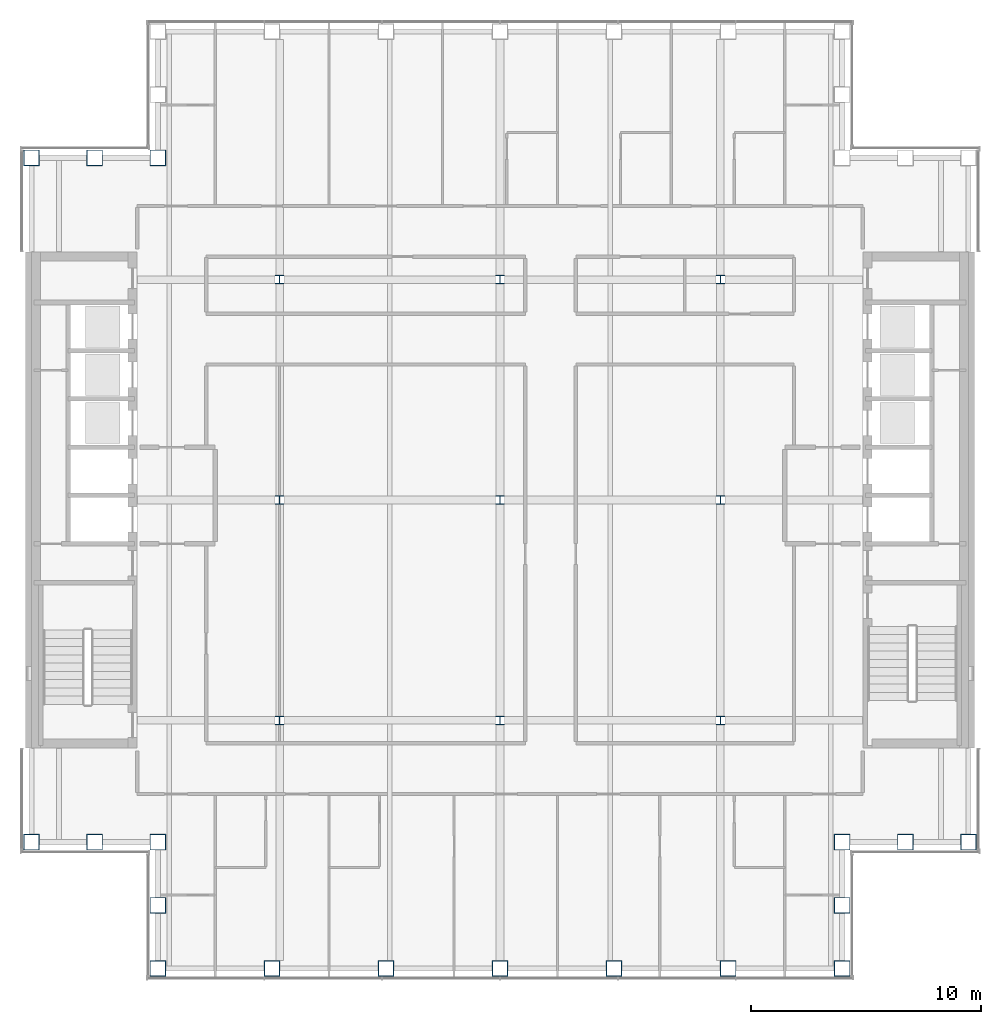
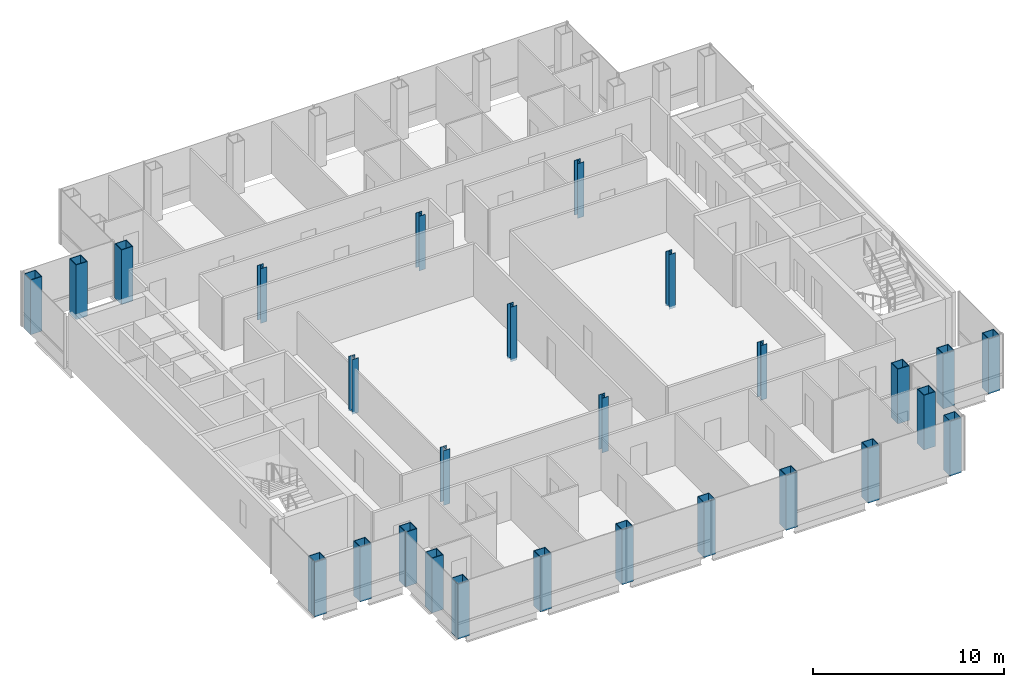
# One storey, part 1 of 15: 27 columns.
"""IFC4 building model written with IfcOpenShell, lengths in metres."""

from ifc_helpers import new_model, si_unit, direction, frame, origin, origin_2d, place, context, subcontext, project, spatial, hollow_rectangle, i_section, extrude, material, material_profile, profile_set, type_object, element, save


model = new_model("IFC4")

# Units and contexts
model_context = context("Model", 3, precision=1e-05, world=origin(), true_north=direction((0.0, 1.0)))
body_context = subcontext(model_context, "Body", "Model", "MODEL_VIEW")
ifc_project = project(units=[si_unit("LENGTHUNIT", "METRE"), si_unit("AREAUNIT", "SQUARE_METRE"), si_unit("VOLUMEUNIT", "CUBIC_METRE"), si_unit("PLANEANGLEUNIT", "RADIAN"), si_unit("MASSUNIT", "GRAM", prefix="KILO")], contexts=[model_context])

# Site, building, storey
site_placement = place(None, origin())
site = spatial("IfcSite", under=ifc_project, at=site_placement, CompositionType="ELEMENT")
building_placement = place(site_placement, origin())
building = spatial("IfcBuilding", under=site, at=building_placement, Name="Cobrizo Arcos Hotel Tower", CompositionType="ELEMENT")
storey_placement = place(building_placement, frame((0.0, 0.0, 215.5)))
storey = spatial("IfcBuildingStorey", under=building, at=storey_placement, Name="L56", CompositionType="ELEMENT", Elevation=215.5)

# Columns
ifc_material_1 = material(Name="Steel ASTM A572 Grade 50", Category="steel")
ifc_material_profile_1 = material_profile(ifc_material_1, hollow_rectangle(XDim=0.699951171875, YDim=0.699951171875, WallThickness=0.0400390625, at=origin_2d()), Name="BOX 700X700X40")
ifc_profile_set_1 = profile_set([ifc_material_profile_1], Name="Steel ASTM A572 Grade 50")
column_type_1 = type_object("IfcColumnType", Name="BOX 700X700X40 column", PredefinedType="COLUMN", material=ifc_profile_set_1)
for number, where, z_axis, x_axis, name in (
    (1, (-14.89990234375, -20.39990234375, -0.14990234375), (0.0, 0.0, 1.0), (1.0, 0.0, 0.0), "Perimeter column C10, L56, no. 01"),
    (2, (-9.93310546875, -20.39990234375, -0.14990234375), (0.0, 0.0, 1.0), (1.0, 0.0, 0.0), "Perimeter column C10, L56, no. 03"),
    (3, (-4.967041015625, -20.39990234375, -0.14990234375), (0.0, 0.0, 1.0), (1.0, 0.0, 0.0), "Perimeter column C10, L56, no. 05"),
    (4, (0.0, -20.39990234375, -0.14990234375), (0.0, 0.0, 1.0), (1.0, 0.0, 0.0), "Perimeter column C10, L56, no. 07"),
    (5, (4.967041015625, -20.39990234375, -0.14990234375), (0.0, 0.0, 1.0), (1.0, 0.0, 0.0), "Perimeter column C10, L56, no. 09"),
    (6, (9.93310546875, -20.39990234375, -0.14990234375), (0.0, 0.0, 1.0), (1.0, 0.0, 0.0), "Perimeter column C10, L56, no. 11"),
    (7, (14.89990234375, -20.39990234375, -0.14990234375), (0.0, 0.0, 1.0), (1.0, 0.0, 0.0), "Perimeter column C10, L56, no. 13"),
    (8, (20.39990234375, -14.89990234375, -0.14990234375), (0.0, 0.0, 1.0), (1.0, 0.0, 0.0), "Perimeter column C10, L56, no. 14"),
    (9, (-20.39990234375, -14.89990234375, -0.14990234375), (0.0, 0.0, 1.0), (1.0, 0.0, 0.0), "Perimeter column C10, L56, no. 15"),
    (10, (-20.39990234375, 14.89990234375, -0.14990234375), (0.0, 0.0, 1.0), (1.0, 0.0, 0.0), "Perimeter column C10, L56, no. 17"),
    (11, (-14.89990234375, -14.89990234375, -0.14990234375), (0.0, 0.0, 1.0), (1.0, 0.0, 0.0), "Perimeter column C10, L56, no. 18"),
    (12, (-14.89990234375, -17.64990234375, -0.14990234375), (0.0, 0.0, 1.0), (1.0, 0.0, 0.0), "Perimeter column C10, L56, no. 19"),
    (13, (-17.64990234375, -14.89990234375, -0.14990234375), (0.0, 0.0, 1.0), (1.0, 0.0, 0.0), "Perimeter column C10, L56, no. 20"),
    (14, (-14.89990234375, 14.89990234375, -0.14990234375), (0.0, 0.0, 1.0), (1.0, 0.0, 0.0), "Perimeter column C10, L56, no. 21"),
    (15, (-17.64990234375, 14.89990234375, -0.14990234375), (0.0, 0.0, 1.0), (1.0, 0.0, 0.0), "Perimeter column C10, L56, no. 23"),
    (16, (14.89990234375, -14.89990234375, -0.14990234375), (0.0, 0.0, 1.0), (1.0, 0.0, 0.0), "Perimeter column C10, L56, no. 24"),
    (17, (14.89990234375, -17.64990234375, -0.14990234375), (0.0, 0.0, 1.0), (1.0, 0.0, 0.0), "Perimeter column C10, L56, no. 25"),
    (18, (17.64990234375, -14.89990234375, -0.14990234375), (0.0, 0.0, 1.0), (1.0, 0.0, 0.0), "Perimeter column C10, L56, no. 26"),
):
    element("IfcColumn", number, at=place(storey_placement, frame(where, z_axis=z_axis, x_axis=x_axis)), inside=storey, type_object=column_type_1, Name=name, PredefinedType="COLUMN", context=body_context, shape_type="SweptSolid", body=[
        extrude(hollow_rectangle(XDim=0.699951171875, YDim=0.699951171875, WallThickness=0.0400390625, at=origin_2d()), origin(), (0.0, 0.0, 1.0), 3.5),
    ])
ifc_material_2 = material(Name="Steel ASTM A992 Grade 50", Category="steel")
ifc_material_profile_2 = material_profile(ifc_material_2, i_section(OverallWidth=0.373291015625, OverallDepth=0.373291015625, WebThickness=0.016357421875, FlangeThickness=0.026123046875, at=origin_2d()), Name="W14X132")
ifc_profile_set_2 = profile_set([ifc_material_profile_2], Name="Steel ASTM A992 Grade 50")
column_type_2 = type_object("IfcColumnType", Name="W14X132 interior column", PredefinedType="COLUMN", material=ifc_profile_set_2)
for number, where, z_axis, x_axis, name in (
    (19, (-9.60009765625, -9.60009765625, -0.14990234375), (0.0, 0.0, 1.0), (1.0, 0.0, 0.0), "Interior column C9, L56, no. 00"),
    (20, (-9.60009765625, 0.0, -0.14990234375), (0.0, 0.0, 1.0), (1.0, 0.0, 0.0), "Interior column C9, L56, no. 01"),
    (21, (-9.60009765625, 9.60009765625, -0.14990234375), (0.0, 0.0, 1.0), (1.0, 0.0, 0.0), "Interior column C9, L56, no. 02"),
    (22, (0.0, -9.60009765625, -0.14990234375), (0.0, 0.0, 1.0), (1.0, 0.0, 0.0), "Interior column C9, L56, no. 03"),
    (23, (0.0, 0.0, -0.14990234375), (0.0, 0.0, 1.0), (1.0, 0.0, 0.0), "Interior column C9, L56, no. 04"),
    (24, (0.0, 9.60009765625, -0.14990234375), (0.0, 0.0, 1.0), (1.0, 0.0, 0.0), "Interior column C9, L56, no. 05"),
    (25, (9.60009765625, -9.60009765625, -0.14990234375), (0.0, 0.0, 1.0), (1.0, 0.0, 0.0), "Interior column C9, L56, no. 06"),
    (26, (9.60009765625, 0.0, -0.14990234375), (0.0, 0.0, 1.0), (1.0, 0.0, 0.0), "Interior column C9, L56, no. 07"),
    (27, (9.60009765625, 9.60009765625, -0.14990234375), (0.0, 0.0, 1.0), (1.0, 0.0, 0.0), "Interior column C9, L56, no. 08"),
):
    element("IfcColumn", number, at=place(storey_placement, frame(where, z_axis=z_axis, x_axis=x_axis)), inside=storey, type_object=column_type_2, Name=name, PredefinedType="COLUMN", context=body_context, shape_type="SweptSolid", body=[
        extrude(i_section(OverallWidth=0.373291015625, OverallDepth=0.373291015625, WebThickness=0.016357421875, FlangeThickness=0.026123046875, at=origin_2d()), origin(), (0.0, 0.0, 1.0), 3.5),
    ])

save(model, "model.ifc")
